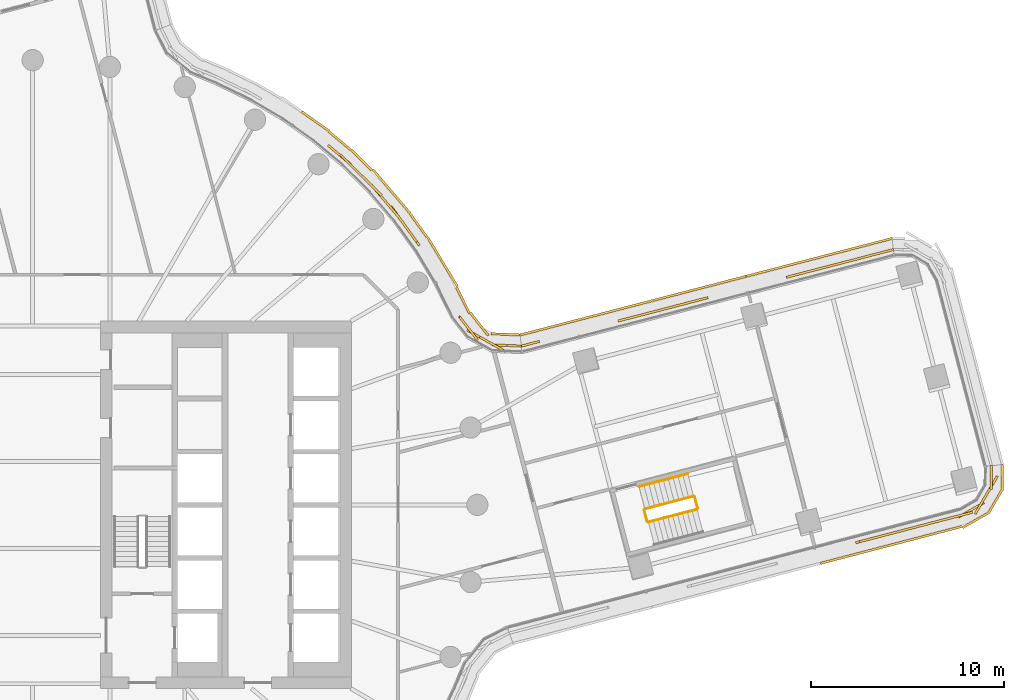
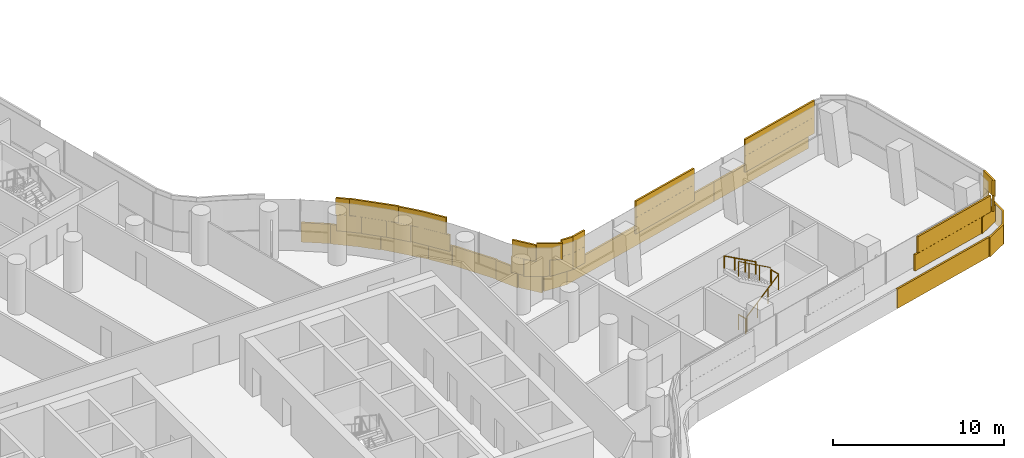
# One storey, part 28 of 30: 5 railings, 4 coverings.
"""IFC4 building model written with IfcOpenShell, lengths in metres."""

from ifc_helpers import new_model, si_unit, direction, frame, origin, origin_2d, place, context, subcontext, project, spatial, rectangle, circle, extrude, material, layer, layer_set, type_object, element, save


model = new_model("IFC4")

# Units and contexts
model_context = context("Model", 3, precision=1e-05, world=origin(), true_north=direction((0.0, 1.0)))
body_context = subcontext(model_context, "Body", "Model", "MODEL_VIEW")
ifc_project = project(units=[si_unit("LENGTHUNIT", "METRE"), si_unit("AREAUNIT", "SQUARE_METRE"), si_unit("VOLUMEUNIT", "CUBIC_METRE"), si_unit("PLANEANGLEUNIT", "RADIAN"), si_unit("MASSUNIT", "GRAM", prefix="KILO")], contexts=[model_context])

# Site, building, storey
site_placement = place(None, origin())
site = spatial("IfcSite", under=ifc_project, at=site_placement, CompositionType="ELEMENT")
building_placement = place(site_placement, origin())
building = spatial("IfcBuilding", under=site, at=building_placement, Name="Tamarind Cross Interchange Tower", CompositionType="ELEMENT")
storey_placement = place(building_placement, frame((0.0, 0.0, 87.25)))
storey = spatial("IfcBuildingStorey", under=building, at=storey_placement, Name="L20", CompositionType="ELEMENT", Elevation=87.25)

# Railings
ifc_material_1 = material(Name="Stair guard")
railing_type_1 = type_object("IfcRailingType", Name="Stair guard", PredefinedType="GUARDRAIL", material=ifc_material_1)
railing_1_placement = place(storey_placement, frame((31.844482421875, -0.892822265625, 0.17041015625)))
element("IfcRailing", 1, at=railing_1_placement, inside=storey, type_object=railing_type_1, Name="L20 ST3 stair guard 1", PredefinedType="GUARDRAIL", context=body_context, shape_type="SweptSolid", body=[
    extrude(circle(Radius=0.02392578125, at=origin_2d()), frame((0.0, 0.0, 1.076171875), z_axis=(0.80920762433, 0.211155681885, 0.54826663106), x_axis=(-0.252486876071, 0.967600319043, 0.0)), (0.0, 0.0, 1.0), 3.109130859375),
    extrude(circle(Radius=0.02099609375, at=origin_2d()), origin(), (0.0, 0.0, 1.0), 1.052001953125),
    extrude(circle(Radius=0.02099609375, at=origin_2d()), frame((0.838623046875, 0.21875, 0.568115234375)), (0.0, 0.0, 1.0), 1.052001953125),
    extrude(circle(Radius=0.02099609375, at=origin_2d()), frame((1.67724609375, 0.437744140625, 1.136474609375)), (0.0, 0.0, 1.0), 1.052001953125),
    extrude(circle(Radius=0.02099609375, at=origin_2d()), frame((2.515869140625, 0.656494140625, 1.70458984375)), (0.0, 0.0, 1.0), 1.052001953125),
])
railing_2_placement = place(storey_placement, frame((34.39599609375, -0.17529296875, 1.875)))
element("IfcRailing", 2, at=railing_2_placement, inside=storey, type_object=railing_type_1, Name="L20 ST3 stair guard 2", PredefinedType="GUARDRAIL", context=body_context, shape_type="SweptSolid", body=[
    extrude(circle(Radius=0.02392578125, at=origin_2d()), frame((0.0, 0.0, 1.076171875), z_axis=(-0.252289376238, 0.967651833377, 0.0), x_axis=(-0.967651833377, -0.252289376238, 0.0)), (0.0, 0.0, 1.0), 0.599853515625),
    extrude(circle(Radius=0.02099609375, at=origin_2d()), origin(), (0.0, 0.0, 1.0), 1.052001953125),
    extrude(circle(Radius=0.02099609375, at=origin_2d()), frame((-0.1513671875, 0.58056640625, 0.0)), (0.0, 0.0, 1.0), 1.052001953125),
])
railing_3_placement = place(storey_placement, frame((34.18359375, 0.44091796875, 2.04541015625)))
element("IfcRailing", 3, at=railing_3_placement, inside=storey, type_object=railing_type_1, Name="L20 ST3 stair guard 3", PredefinedType="GUARDRAIL", context=body_context, shape_type="SweptSolid", body=[
    extrude(circle(Radius=0.02392578125, at=origin_2d()), frame((0.0, 0.0, 1.076171875), z_axis=(-0.80920762433, -0.211155681885, 0.54826663106), x_axis=(0.252486876071, -0.967600319043, 0.0)), (0.0, 0.0, 1.0), 3.109130859375),
    extrude(circle(Radius=0.02099609375, at=origin_2d()), origin(), (0.0, 0.0, 1.0), 1.052001953125),
    extrude(circle(Radius=0.02099609375, at=origin_2d()), frame((-0.838623046875, -0.21875, 0.568115234375)), (0.0, 0.0, 1.0), 1.052001953125),
    extrude(circle(Radius=0.02099609375, at=origin_2d()), frame((-1.67724609375, -0.437744140625, 1.136474609375)), (0.0, 0.0, 1.0), 1.052001953125),
    extrude(circle(Radius=0.02099609375, at=origin_2d()), frame((-2.515869140625, -0.656494140625, 1.70458984375)), (0.0, 0.0, 1.0), 1.052001953125),
])
railing_4_placement = place(storey_placement, frame((31.783447265625, -0.857177734375, 0.0)))
element("IfcRailing", 4, at=railing_4_placement, inside=storey, type_object=railing_type_1, Name="L20 ST3 stair guard 4", PredefinedType="GUARDRAIL", context=body_context, shape_type="SweptSolid", body=[
    extrude(circle(Radius=0.02392578125, at=origin_2d()), frame((0.0, 0.0, 1.076171875), z_axis=(-0.252289376238, 0.967651833377, 0.0), x_axis=(-0.967651833377, -0.252289376238, 0.0)), (0.0, 0.0, 1.0), 0.599853515625),
    extrude(circle(Radius=0.02099609375, at=origin_2d()), origin(), (0.0, 0.0, 1.0), 1.052001953125),
    extrude(circle(Radius=0.02099609375, at=origin_2d()), frame((-0.1513671875, 0.58056640625, 0.0)), (0.0, 0.0, 1.0), 1.052001953125),
])
ifc_material_2 = material(Name="Stair handrail")
railing_type_2 = type_object("IfcRailingType", Name="Stair handrail", PredefinedType="HANDRAIL", material=ifc_material_2)
railing_5_placement = place(storey_placement, frame((33.88037109375, 1.60205078125, 2.04541015625)))
element("IfcRailing", 5, at=railing_5_placement, inside=storey, type_object=railing_type_2, Name="L20 ST3 stair handrail 2", PredefinedType="HANDRAIL", context=body_context, shape_type="SweptSolid", body=[
    extrude(circle(Radius=0.02392578125, at=origin_2d()), frame((0.0, 0.0, 0.8759765625), z_axis=(-0.809180515998, -0.211169100109, 0.548301471535), x_axis=(0.252509817524, -0.96759433238, 0.0)), (0.0, 0.0, 1.0), 3.10888671875),
    extrude(circle(Radius=0.02099609375, at=origin_2d()), origin(), (0.0, 0.0, 1.0), 0.851806640625),
    extrude(circle(Radius=0.02099609375, at=origin_2d()), frame((-0.838623046875, -0.21875, 0.568115234375)), (0.0, 0.0, 1.0), 0.851806640625),
    extrude(circle(Radius=0.02099609375, at=origin_2d()), frame((-1.677001953125, -0.437744140625, 1.136474609375)), (0.0, 0.0, 1.0), 0.851806640625),
    extrude(circle(Radius=0.02099609375, at=origin_2d()), frame((-2.515625, -0.656494140625, 1.70458984375)), (0.0, 0.0, 1.0), 0.851806640625),
])

# Coverings
ifc_material_3 = material(Name="Terracotta", Category="masonry")
ifc_layer = layer(ifc_material_3, 0.1201171875)
ifc_layer_set = layer_set([ifc_layer], Name="Terracotta")
covering_type = type_object("IfcCoveringType", Name="Terracotta baguette screen unit", PredefinedType="MOLDING", material=ifc_layer_set)
covering_1_placement = place(storey_placement, origin())
element("IfcCovering", 6, at=covering_1_placement, inside=storey, type_object=covering_type, Name="SCR-L20-11-02", PredefinedType="MOLDING", context=body_context, shape_type="SweptSolid", body=[
    extrude(rectangle(XDim=0.98583984375, YDim=0.1201171875, at=origin_2d()), frame((43.044677734375, -1.835205078125, 1.404052734375), z_axis=(0.0, 0.0, 1.0), x_axis=(0.967589396666, 0.252528729967, 0.0)), (0.0, 0.0, 1.0), 1.1669921875),
    extrude(rectangle(XDim=1.52001953125, YDim=0.1201171875, at=origin_2d()), frame((44.242431640625, -1.5224609375, 1.404052734375), z_axis=(0.0, 0.0, 1.0), x_axis=(0.967589396666, 0.252528729967, 0.0)), (0.0, 0.0, 1.0), 1.1669921875),
    extrude(rectangle(XDim=1.52001953125, YDim=0.1201171875, at=origin_2d()), frame((45.69384765625, -1.143798828125, 1.404052734375), z_axis=(0.0, 0.0, 1.0), x_axis=(0.967589396666, 0.252528729967, 0.0)), (0.0, 0.0, 1.0), 1.1669921875),
    extrude(rectangle(XDim=1.52001953125, YDim=0.1201171875, at=origin_2d()), frame((47.145263671875, -0.764892578125, 1.404052734375), z_axis=(0.0, 0.0, 1.0), x_axis=(0.967589396666, 0.252528729967, 0.0)), (0.0, 0.0, 1.0), 1.1669921875),
    extrude(rectangle(XDim=1.52001953125, YDim=0.1201171875, at=origin_2d()), frame((48.5458984375, -0.26171875, 1.404052734375), z_axis=(0.0, 0.0, 1.0), x_axis=(0.869260342733, 0.494354585852, 0.0)), (0.0, 0.0, 1.0), 1.1669921875),
    extrude(rectangle(XDim=1.52001953125, YDim=0.1201171875, at=origin_2d()), frame((49.5068359375, 0.8271484375, 1.404052734375), z_axis=(0.0, 0.0, 1.0), x_axis=(0.505624246383, 0.862753801191, 0.0)), (0.0, 0.0, 1.0), 1.1669921875),
    extrude(rectangle(XDim=0.4716796875, YDim=0.1201171875, at=origin_2d()), frame((49.58349609375, 1.788818359375, 1.404052734375), z_axis=(0.0, 0.0, 1.0), x_axis=(0.006506541541, 0.999978832235, 0.0)), (0.0, 0.0, 1.0), 1.1669921875),
    extrude(rectangle(XDim=1.52001953125, YDim=0.1201171875, at=origin_2d()), frame((43.5166015625, -1.7119140625, 2.5791015625), z_axis=(0.0, 0.0, 1.0), x_axis=(0.967589396666, 0.252528729967, 0.0)), (0.0, 0.0, 1.0), 1.1669921875),
    extrude(rectangle(XDim=1.52001953125, YDim=0.1201171875, at=origin_2d()), frame((44.968017578125, -1.3330078125, 2.5791015625), z_axis=(0.0, 0.0, 1.0), x_axis=(0.967589396666, 0.252528729967, 0.0)), (0.0, 0.0, 1.0), 1.1669921875),
    extrude(rectangle(XDim=1.52001953125, YDim=0.1201171875, at=origin_2d()), frame((46.41943359375, -0.954345703125, 2.5791015625), z_axis=(0.0, 0.0, 1.0), x_axis=(0.967589396666, 0.252528729967, 0.0)), (0.0, 0.0, 1.0), 1.1669921875),
    extrude(rectangle(XDim=1.52001953125, YDim=0.1201171875, at=origin_2d()), frame((47.870849609375, -0.575439453125, 2.5791015625), z_axis=(0.0, 0.0, 1.0), x_axis=(0.967589396666, 0.252528729967, 0.0)), (0.0, 0.0, 1.0), 1.1669921875),
    extrude(rectangle(XDim=1.52001953125, YDim=0.1201171875, at=origin_2d()), frame((49.127685546875, 0.18017578125, 2.5791015625), z_axis=(0.0, 0.0, 1.0), x_axis=(0.505624246383, 0.862753801191, 0.0)), (0.0, 0.0, 1.0), 1.1669921875),
    extrude(rectangle(XDim=1.2216796875, YDim=0.1201171875, at=origin_2d()), frame((49.5810546875, 1.413818359375, 2.5791015625), z_axis=(0.0, 0.0, 1.0), x_axis=(0.006506541541, 0.999978832235, 0.0)), (0.0, 0.0, 1.0), 1.1669921875),
    extrude(rectangle(XDim=0.076416015625, YDim=0.1201171875, at=origin_2d()), frame((40.791259765625, -3.016357421875, 0.00390625), z_axis=(0.0, 0.0, 1.0), x_axis=(0.967589396666, 0.252528729967, 0.0)), (0.0, 0.0, 1.0), 1.39208984375),
    extrude(rectangle(XDim=1.52001953125, YDim=0.1201171875, at=origin_2d()), frame((41.544189453125, -2.81982421875, 0.00390625), z_axis=(0.0, 0.0, 1.0), x_axis=(0.967589396666, 0.252528729967, 0.0)), (0.0, 0.0, 1.0), 1.39208984375),
    extrude(rectangle(XDim=1.52001953125, YDim=0.1201171875, at=origin_2d()), frame((42.99560546875, -2.441162109375, 0.00390625), z_axis=(0.0, 0.0, 1.0), x_axis=(0.967589396666, 0.252528729967, 0.0)), (0.0, 0.0, 1.0), 1.39208984375),
    extrude(rectangle(XDim=1.52001953125, YDim=0.1201171875, at=origin_2d()), frame((44.447021484375, -2.062255859375, 0.00390625), z_axis=(0.0, 0.0, 1.0), x_axis=(0.967589396666, 0.252528729967, 0.0)), (0.0, 0.0, 1.0), 1.39208984375),
    extrude(rectangle(XDim=1.52001953125, YDim=0.1201171875, at=origin_2d()), frame((45.8984375, -1.68359375, 0.00390625), z_axis=(0.0, 0.0, 1.0), x_axis=(0.967589396666, 0.252528729967, 0.0)), (0.0, 0.0, 1.0), 1.39208984375),
    extrude(rectangle(XDim=1.52001953125, YDim=0.1201171875, at=origin_2d()), frame((47.349853515625, -1.3046875, 0.00390625), z_axis=(0.0, 0.0, 1.0), x_axis=(0.967589396666, 0.252528729967, 0.0)), (0.0, 0.0, 1.0), 1.39208984375),
    extrude(rectangle(XDim=1.52001953125, YDim=0.1201171875, at=origin_2d()), frame((48.751953125, -0.804931640625, 0.00390625), z_axis=(0.0, 0.0, 1.0), x_axis=(0.869260342733, 0.494354585852, 0.0)), (0.0, 0.0, 1.0), 1.39208984375),
    extrude(rectangle(XDim=1.52001953125, YDim=0.1201171875, at=origin_2d()), frame((49.801513671875, 0.1943359375, 0.00390625), z_axis=(0.0, 0.0, 1.0), x_axis=(0.505624246383, 0.862753801191, 0.0)), (0.0, 0.0, 1.0), 1.39208984375),
    extrude(rectangle(XDim=1.251953125, YDim=0.1201171875, at=origin_2d()), frame((50.1552734375, 1.465576171875, 0.00390625), z_axis=(0.0, 0.0, 1.0), x_axis=(0.006506541541, 0.999978832235, 0.0)), (0.0, 0.0, 1.0), 1.39208984375),
])
covering_2_placement = place(storey_placement, origin())
element("IfcCovering", 7, at=covering_2_placement, inside=storey, type_object=covering_type, Name="SCR-L20-13-00", PredefinedType="MOLDING", context=body_context, shape_type="SweptSolid", body=[
    extrude(rectangle(XDim=1.510009765625, YDim=0.1201171875, at=origin_2d()), frame((43.792236328125, 13.015869140625, 1.404052734375), z_axis=(0.0, 0.0, 1.0), x_axis=(-0.967917811763, -0.251267008723, 0.0)), (0.0, 0.0, 1.0), 1.1669921875),
    extrude(rectangle(XDim=1.52001953125, YDim=0.1201171875, at=origin_2d()), frame((42.34033203125, 12.63916015625, 1.404052734375), z_axis=(0.0, 0.0, 1.0), x_axis=(-0.967917811763, -0.251267008723, 0.0)), (0.0, 0.0, 1.0), 1.1669921875),
    extrude(rectangle(XDim=1.52001953125, YDim=0.1201171875, at=origin_2d()), frame((40.888427734375, 12.26220703125, 1.404052734375), z_axis=(0.0, 0.0, 1.0), x_axis=(-0.967917811763, -0.251267008723, 0.0)), (0.0, 0.0, 1.0), 1.1669921875),
    extrude(rectangle(XDim=1.22021484375, YDim=0.1201171875, at=origin_2d()), frame((39.576904296875, 11.921630859375, 1.404052734375), z_axis=(0.0, 0.0, 1.0), x_axis=(-0.967917811763, -0.251267008723, 0.0)), (0.0, 0.0, 1.0), 1.1669921875),
    extrude(rectangle(XDim=0.760009765625, YDim=0.1201171875, at=origin_2d()), frame((44.1552734375, 13.110107421875, 2.5791015625), z_axis=(0.0, 0.0, 1.0), x_axis=(-0.967917811763, -0.251267008723, 0.0)), (0.0, 0.0, 1.0), 1.1669921875),
    extrude(rectangle(XDim=1.52001953125, YDim=0.1201171875, at=origin_2d()), frame((43.06640625, 12.82763671875, 2.5791015625), z_axis=(0.0, 0.0, 1.0), x_axis=(-0.967917811763, -0.251267008723, 0.0)), (0.0, 0.0, 1.0), 1.1669921875),
    extrude(rectangle(XDim=1.52001953125, YDim=0.1201171875, at=origin_2d()), frame((41.614501953125, 12.45068359375, 2.5791015625), z_axis=(0.0, 0.0, 1.0), x_axis=(-0.967917811763, -0.251267008723, 0.0)), (0.0, 0.0, 1.0), 1.1669921875),
    extrude(rectangle(XDim=1.52001953125, YDim=0.1201171875, at=origin_2d()), frame((40.16259765625, 12.07373046875, 2.5791015625), z_axis=(0.0, 0.0, 1.0), x_axis=(-0.967917811763, -0.251267008723, 0.0)), (0.0, 0.0, 1.0), 1.1669921875),
    extrude(rectangle(XDim=0.47021484375, YDim=0.1201171875, at=origin_2d()), frame((39.2138671875, 11.827392578125, 2.5791015625), z_axis=(0.0, 0.0, 1.0), x_axis=(-0.967917811763, -0.251267008723, 0.0)), (0.0, 0.0, 1.0), 1.1669921875),
    extrude(rectangle(XDim=1.510009765625, YDim=0.1201171875, at=origin_2d()), frame((43.7158203125, 13.589111328125, 0.00390625), z_axis=(0.0, 0.0, 1.0), x_axis=(-0.967917811763, -0.251267008723, 0.0)), (0.0, 0.0, 1.0), 1.39208984375),
    extrude(rectangle(XDim=1.52001953125, YDim=0.1201171875, at=origin_2d()), frame((42.268798828125, 13.213623046875, 0.00390625), z_axis=(0.0, 0.0, 1.0), x_axis=(-0.967917811763, -0.251267008723, 0.0)), (0.0, 0.0, 1.0), 1.39208984375),
    extrude(rectangle(XDim=1.52001953125, YDim=0.1201171875, at=origin_2d()), frame((40.817138671875, 12.836669921875, 0.00390625), z_axis=(0.0, 0.0, 1.0), x_axis=(-0.967917811763, -0.251267008723, 0.0)), (0.0, 0.0, 1.0), 1.39208984375),
    extrude(rectangle(XDim=1.52001953125, YDim=0.1201171875, at=origin_2d()), frame((39.365234375, 12.459716796875, 0.00390625), z_axis=(0.0, 0.0, 1.0), x_axis=(-0.967917811763, -0.251267008723, 0.0)), (0.0, 0.0, 1.0), 1.39208984375),
    extrude(rectangle(XDim=1.52001953125, YDim=0.1201171875, at=origin_2d()), frame((37.913330078125, 12.082763671875, 0.00390625), z_axis=(0.0, 0.0, 1.0), x_axis=(-0.967917811763, -0.251267008723, 0.0)), (0.0, 0.0, 1.0), 1.39208984375),
    extrude(rectangle(XDim=0.316162109375, YDim=0.1201171875, at=origin_2d()), frame((37.0439453125, 11.857177734375, 0.00390625), z_axis=(0.0, 0.0, 1.0), x_axis=(-0.967917811763, -0.251267008723, 0.0)), (0.0, 0.0, 1.0), 1.39208984375),
])
covering_3_placement = place(storey_placement, origin())
element("IfcCovering", 8, at=covering_3_placement, inside=storey, type_object=covering_type, Name="SCR-L20-13-01", PredefinedType="MOLDING", context=body_context, shape_type="SweptSolid", body=[
    extrude(rectangle(XDim=0.599853515625, YDim=0.1201171875, at=origin_2d()), frame((34.640380859375, 10.64013671875, 1.404052734375), z_axis=(0.0, 0.0, 1.0), x_axis=(-0.967917811763, -0.251267008723, 0.0)), (0.0, 0.0, 1.0), 1.1669921875),
    extrude(rectangle(XDim=1.52001953125, YDim=0.1201171875, at=origin_2d()), frame((33.629150390625, 10.377685546875, 1.404052734375), z_axis=(0.0, 0.0, 1.0), x_axis=(-0.967917811763, -0.251267008723, 0.0)), (0.0, 0.0, 1.0), 1.1669921875),
    extrude(rectangle(XDim=1.52001953125, YDim=0.1201171875, at=origin_2d()), frame((32.17724609375, 10.000732421875, 1.404052734375), z_axis=(0.0, 0.0, 1.0), x_axis=(-0.967917811763, -0.251267008723, 0.0)), (0.0, 0.0, 1.0), 1.1669921875),
    extrude(rectangle(XDim=1.219482421875, YDim=0.1201171875, at=origin_2d()), frame((30.865966796875, 9.660400390625, 1.404052734375), z_axis=(0.0, 0.0, 1.0), x_axis=(-0.967917811763, -0.251267008723, 0.0)), (0.0, 0.0, 1.0), 1.1669921875),
    extrude(rectangle(XDim=0.6005859375, YDim=0.1201171875, at=origin_2d()), frame((25.929443359375, 8.37890625, 1.404052734375), z_axis=(0.0, 0.0, 1.0), x_axis=(-0.967917811763, -0.251267008723, 0.0)), (0.0, 0.0, 1.0), 1.1669921875),
    extrude(rectangle(XDim=0.390869140625, YDim=0.1201171875, at=origin_2d()), frame((25.45947265625, 8.2568359375, 1.404052734375), z_axis=(0.0, 0.0, 1.0), x_axis=(-0.967917811763, -0.251267008723, 0.0)), (0.0, 0.0, 1.0), 1.1669921875),
    extrude(rectangle(XDim=1.349853515625, YDim=0.1201171875, at=origin_2d()), frame((34.277587890625, 10.5458984375, 2.5791015625), z_axis=(0.0, 0.0, 1.0), x_axis=(-0.967917811763, -0.251267008723, 0.0)), (0.0, 0.0, 1.0), 1.1669921875),
    extrude(rectangle(XDim=1.52001953125, YDim=0.1201171875, at=origin_2d()), frame((32.903076171875, 10.189208984375, 2.5791015625), z_axis=(0.0, 0.0, 1.0), x_axis=(-0.967917811763, -0.251267008723, 0.0)), (0.0, 0.0, 1.0), 1.1669921875),
    extrude(rectangle(XDim=1.52001953125, YDim=0.1201171875, at=origin_2d()), frame((31.451171875, 9.812255859375, 2.5791015625), z_axis=(0.0, 0.0, 1.0), x_axis=(-0.967917811763, -0.251267008723, 0.0)), (0.0, 0.0, 1.0), 1.1669921875),
    extrude(rectangle(XDim=0.469482421875, YDim=0.1201171875, at=origin_2d()), frame((30.5029296875, 9.566162109375, 2.5791015625), z_axis=(0.0, 0.0, 1.0), x_axis=(-0.967917811763, -0.251267008723, 0.0)), (0.0, 0.0, 1.0), 1.1669921875),
    extrude(rectangle(XDim=0.971435546875, YDim=0.1201171875, at=origin_2d()), frame((25.7451171875, 8.3310546875, 2.5791015625), z_axis=(0.0, 0.0, 1.0), x_axis=(-0.967917811763, -0.251267008723, 0.0)), (0.0, 0.0, 1.0), 1.1669921875),
    extrude(rectangle(XDim=1.203857421875, YDim=0.1201171875, at=origin_2d()), frame((36.308349609375, 11.666259765625, 0.00390625), z_axis=(0.0, 0.0, 1.0), x_axis=(-0.967917811763, -0.251267008723, 0.0)), (0.0, 0.0, 1.0), 1.39208984375),
    extrude(rectangle(XDim=1.52001953125, YDim=0.1201171875, at=origin_2d()), frame((35.009521484375, 11.3291015625, 0.00390625), z_axis=(0.0, 0.0, 1.0), x_axis=(-0.967917811763, -0.251267008723, 0.0)), (0.0, 0.0, 1.0), 1.39208984375),
    extrude(rectangle(XDim=1.52001953125, YDim=0.1201171875, at=origin_2d()), frame((33.5576171875, 10.9521484375, 0.00390625), z_axis=(0.0, 0.0, 1.0), x_axis=(-0.967917811763, -0.251267008723, 0.0)), (0.0, 0.0, 1.0), 1.39208984375),
    extrude(rectangle(XDim=1.52001953125, YDim=0.1201171875, at=origin_2d()), frame((32.105712890625, 10.5751953125, 0.00390625), z_axis=(0.0, 0.0, 1.0), x_axis=(-0.967917811763, -0.251267008723, 0.0)), (0.0, 0.0, 1.0), 1.39208984375),
    extrude(rectangle(XDim=1.52001953125, YDim=0.1201171875, at=origin_2d()), frame((30.65380859375, 10.1982421875, 0.00390625), z_axis=(0.0, 0.0, 1.0), x_axis=(-0.967917811763, -0.251267008723, 0.0)), (0.0, 0.0, 1.0), 1.39208984375),
    extrude(rectangle(XDim=1.52001953125, YDim=0.1201171875, at=origin_2d()), frame((29.201904296875, 9.821533203125, 0.00390625), z_axis=(0.0, 0.0, 1.0), x_axis=(-0.967917811763, -0.251267008723, 0.0)), (0.0, 0.0, 1.0), 1.39208984375),
    extrude(rectangle(XDim=1.52001953125, YDim=0.1201171875, at=origin_2d()), frame((27.750244140625, 9.444580078125, 0.00390625), z_axis=(0.0, 0.0, 1.0), x_axis=(-0.967917811763, -0.251267008723, 0.0)), (0.0, 0.0, 1.0), 1.39208984375),
    extrude(rectangle(XDim=1.52001953125, YDim=0.1201171875, at=origin_2d()), frame((26.29833984375, 9.067626953125, 0.00390625), z_axis=(0.0, 0.0, 1.0), x_axis=(-0.967917811763, -0.251267008723, 0.0)), (0.0, 0.0, 1.0), 1.39208984375),
    extrude(rectangle(XDim=0.380126953125, YDim=0.1201171875, at=origin_2d()), frame((25.39794921875, 8.833984375, 0.00390625), z_axis=(0.0, 0.0, 1.0), x_axis=(-0.967917811763, -0.251267008723, 0.0)), (0.0, 0.0, 1.0), 1.39208984375),
])
covering_4_placement = place(storey_placement, origin())
element("IfcCovering", 9, at=covering_4_placement, inside=storey, type_object=covering_type, Name="SCR-L20-14-00", PredefinedType="MOLDING", context=body_context, shape_type="SweptSolid", body=[
    extrude(rectangle(XDim=1.510009765625, YDim=0.1201171875, at=origin_2d()), frame((24.52587890625, 8.2412109375, 1.404052734375), z_axis=(0.0, 0.0, 1.0), x_axis=(-0.999076272174, 0.042972111644, 0.0)), (0.0, 0.0, 1.0), 1.1669921875),
    extrude(rectangle(XDim=1.52001953125, YDim=0.1201171875, at=origin_2d()), frame((23.13037109375, 8.67236328125, 1.404052734375), z_axis=(0.0, 0.0, 1.0), x_axis=(-0.874641212639, 0.484770821269, 0.0)), (0.0, 0.0, 1.0), 1.1669921875),
    extrude(rectangle(XDim=0.80810546875, YDim=0.1201171875, at=origin_2d()), frame((22.3017578125, 9.435791015625, 1.404052734375), z_axis=(0.0, 0.0, 1.0), x_axis=(-0.615002408743, 0.788525229299, 0.0)), (0.0, 0.0, 1.0), 1.1669921875),
    extrude(rectangle(XDim=1.011962890625, YDim=0.1201171875, at=origin_2d()), frame((19.708984375, 13.81298828125, 1.404052734375), z_axis=(0.0, 0.0, 1.0), x_axis=(-0.584573890505, 0.811340475102, 0.0)), (0.0, 0.0, 1.0), 1.1669921875),
    extrude(rectangle(XDim=1.52001953125, YDim=0.1201171875, at=origin_2d()), frame((18.977783203125, 14.827880859375, 1.404052734375), z_axis=(0.0, 0.0, 1.0), x_axis=(-0.584573890505, 0.811340475102, 0.0)), (0.0, 0.0, 1.0), 1.1669921875),
    extrude(rectangle(XDim=1.52001953125, YDim=0.1201171875, at=origin_2d()), frame((18.00732421875, 15.971435546875, 1.404052734375), z_axis=(0.0, 0.0, 1.0), x_axis=(-0.64957723968, 0.760295606781, 0.0)), (0.0, 0.0, 1.0), 1.1669921875),
    extrude(rectangle(XDim=1.52001953125, YDim=0.1201171875, at=origin_2d()), frame((16.975341796875, 17.058349609375, 1.404052734375), z_axis=(0.0, 0.0, 1.0), x_axis=(-0.710143317658, 0.704057148523, 0.0)), (0.0, 0.0, 1.0), 1.1669921875),
    extrude(rectangle(XDim=1.52001953125, YDim=0.1201171875, at=origin_2d()), frame((15.884521484375, 18.08642578125, 1.404052734375), z_axis=(0.0, 0.0, 1.0), x_axis=(-0.765858396687, 0.643009266048, 0.0)), (0.0, 0.0, 1.0), 1.1669921875),
    extrude(rectangle(XDim=0.760009765625, YDim=0.1201171875, at=origin_2d()), frame((24.900390625, 8.22509765625, 2.5791015625), z_axis=(0.0, 0.0, 1.0), x_axis=(-0.999076272174, 0.042972111644, 0.0)), (0.0, 0.0, 1.0), 1.1669921875),
    extrude(rectangle(XDim=1.52001953125, YDim=0.1201171875, at=origin_2d()), frame((23.786376953125, 8.308837890625, 2.5791015625), z_axis=(0.0, 0.0, 1.0), x_axis=(-0.874641212639, 0.484770821269, 0.0)), (0.0, 0.0, 1.0), 1.1669921875),
    extrude(rectangle(XDim=1.52001953125, YDim=0.1201171875, at=origin_2d()), frame((22.547119140625, 9.12109375, 2.5791015625), z_axis=(0.0, 0.0, 1.0), x_axis=(-0.615002408743, 0.788525229299, 0.0)), (0.0, 0.0, 1.0), 1.1669921875),
    extrude(rectangle(XDim=1.52001953125, YDim=0.1201171875, at=origin_2d()), frame((19.416259765625, 14.219482421875, 2.5791015625), z_axis=(0.0, 0.0, 1.0), x_axis=(-0.584573890505, 0.811340475102, 0.0)), (0.0, 0.0, 1.0), 1.1669921875),
    extrude(rectangle(XDim=1.52001953125, YDim=0.1201171875, at=origin_2d()), frame((18.494384765625, 15.401123046875, 2.5791015625), z_axis=(0.0, 0.0, 1.0), x_axis=(-0.64957723968, 0.760295606781, 0.0)), (0.0, 0.0, 1.0), 1.1669921875),
    extrude(rectangle(XDim=1.52001953125, YDim=0.1201171875, at=origin_2d()), frame((17.5078125, 16.5302734375, 2.5791015625), z_axis=(0.0, 0.0, 1.0), x_axis=(-0.710143317658, 0.704057148523, 0.0)), (0.0, 0.0, 1.0), 1.1669921875),
    extrude(rectangle(XDim=1.52001953125, YDim=0.1201171875, at=origin_2d()), frame((16.442626953125, 17.58642578125, 2.5791015625), z_axis=(0.0, 0.0, 1.0), x_axis=(-0.710143317658, 0.704057148523, 0.0)), (0.0, 0.0, 1.0), 1.1669921875),
    extrude(rectangle(XDim=0.807373046875, YDim=0.1201171875, at=origin_2d()), frame((15.5791015625, 18.3427734375, 2.5791015625), z_axis=(0.0, 0.0, 1.0), x_axis=(-0.765858396687, 0.643009266048, 0.0)), (0.0, 0.0, 1.0), 1.1669921875),
    extrude(rectangle(XDim=1.510009765625, YDim=0.1201171875, at=origin_2d()), frame((24.459716796875, 8.818603515625, 0.00390625), z_axis=(0.0, 0.0, 1.0), x_axis=(-0.999076272174, 0.042972111644, 0.0)), (0.0, 0.0, 1.0), 1.39208984375),
    extrude(rectangle(XDim=1.52001953125, YDim=0.1201171875, at=origin_2d()), frame((23.09765625, 9.348388671875, 0.00390625), z_axis=(0.0, 0.0, 1.0), x_axis=(-0.615002408743, 0.788525229299, 0.0)), (0.0, 0.0, 1.0), 1.39208984375),
    extrude(rectangle(XDim=1.52001953125, YDim=0.1201171875, at=origin_2d()), frame((22.255126953125, 10.581298828125, 0.00390625), z_axis=(0.0, 0.0, 1.0), x_axis=(-0.44323068256, 0.896407587003, 0.0)), (0.0, 0.0, 1.0), 1.39208984375),
    extrude(rectangle(XDim=1.52001953125, YDim=0.1201171875, at=origin_2d()), frame((21.58251953125, 11.921630859375, 0.00390625), z_axis=(0.0, 0.0, 1.0), x_axis=(-0.515577308909, 0.856843065292, 0.0)), (0.0, 0.0, 1.0), 1.39208984375),
    extrude(rectangle(XDim=1.52001953125, YDim=0.1201171875, at=origin_2d()), frame((20.809326171875, 13.20703125, 0.00390625), z_axis=(0.0, 0.0, 1.0), x_axis=(-0.515577308909, 0.856843065292, 0.0)), (0.0, 0.0, 1.0), 1.39208984375),
    extrude(rectangle(XDim=1.52001953125, YDim=0.1201171875, at=origin_2d()), frame((19.962158203125, 14.443603515625, 0.00390625), z_axis=(0.0, 0.0, 1.0), x_axis=(-0.584573890505, 0.811340475102, 0.0)), (0.0, 0.0, 1.0), 1.39208984375),
    extrude(rectangle(XDim=1.52001953125, YDim=0.1201171875, at=origin_2d()), frame((19.05078125, 15.633544921875, 0.00390625), z_axis=(0.0, 0.0, 1.0), x_axis=(-0.64957723968, 0.760295606781, 0.0)), (0.0, 0.0, 1.0), 1.39208984375),
    extrude(rectangle(XDim=1.52001953125, YDim=0.1201171875, at=origin_2d()), frame((18.076416015625, 16.77392578125, 0.00390625), z_axis=(0.0, 0.0, 1.0), x_axis=(-0.64957723968, 0.760295606781, 0.0)), (0.0, 0.0, 1.0), 1.39208984375),
    extrude(rectangle(XDim=1.52001953125, YDim=0.1201171875, at=origin_2d()), frame((17.01171875, 17.83056640625, 0.00390625), z_axis=(0.0, 0.0, 1.0), x_axis=(-0.710143317658, 0.704057148523, 0.0)), (0.0, 0.0, 1.0), 1.39208984375),
    extrude(rectangle(XDim=1.52001953125, YDim=0.1201171875, at=origin_2d()), frame((15.893310546875, 18.828369140625, 0.00390625), z_axis=(0.0, 0.0, 1.0), x_axis=(-0.765858396687, 0.643009266048, 0.0)), (0.0, 0.0, 1.0), 1.39208984375),
    extrude(rectangle(XDim=1.52001953125, YDim=0.1201171875, at=origin_2d()), frame((14.7236328125, 19.765625, 0.00390625), z_axis=(0.0, 0.0, 1.0), x_axis=(-0.816341886298, 0.577568978284, 0.0)), (0.0, 0.0, 1.0), 1.39208984375),
    extrude(rectangle(XDim=0.243408203125, YDim=0.1201171875, at=origin_2d()), frame((14.02001953125, 20.263427734375, 0.00390625), z_axis=(0.0, 0.0, 1.0), x_axis=(-0.816341886298, 0.577568978284, 0.0)), (0.0, 0.0, 1.0), 1.39208984375),
])

save(model, "model.ifc")
